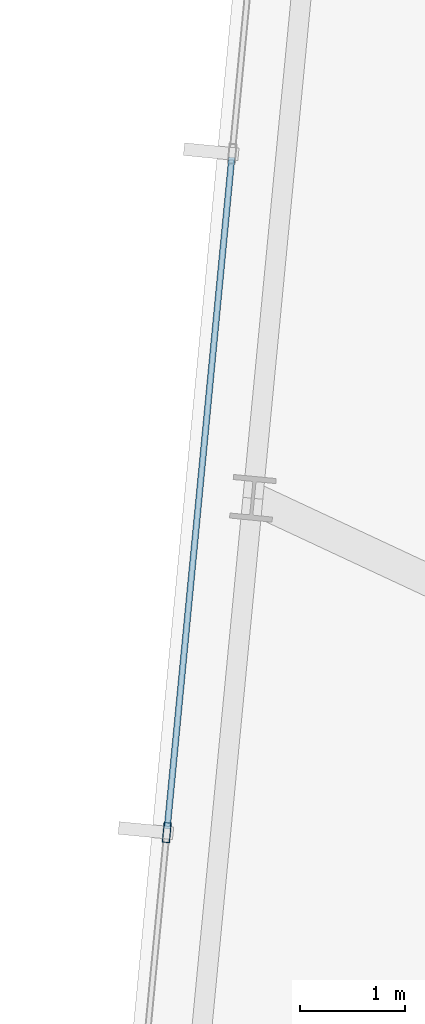
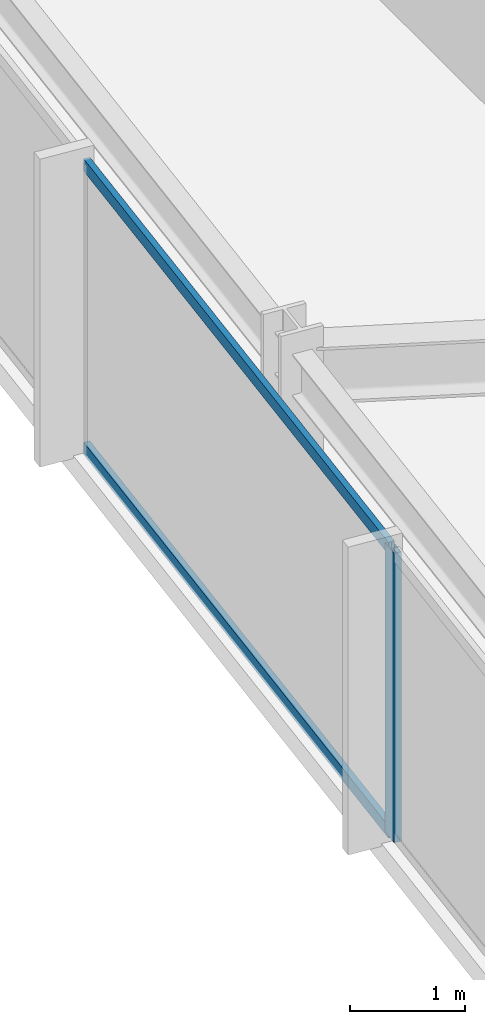
# One storey, part 8 of 37: 3 members, 1 element without a shape of its own.
"""IFC4 building model written with IfcOpenShell, lengths in metres."""

import ifcopenshell
import ifcopenshell.guid

model = None  # the IFC model being written
_history = None  # IfcOwnerHistory: only IFC2X3 demands one
_inside = {}  # id of a spatial element -> (the spatial element, [elements in it])
_under = {}  # id of a project, library or spatial element -> (it, [spatial elements below it])
_declared = {}  # id of a project -> (the project, [libraries it declares])
_typed = {}  # id of a type object -> (the type object, [elements of that type])
_made_of = {}  # id of a material, layer set ... -> (it, [elements and type objects made of it])


def new_model(schema):
    """Start an empty IFC model of exactly this schema.

    Asked for "IFC4X3", IfcOpenShell would pick the latest addendum, in which some entities
    have other attributes; the version numbers below select the first issue.
    IFC2X3 requires an IfcOwnerHistory on every rooted entity: one is made here for all.
    """
    global model, _history
    if schema == "IFC4X3":
        model = ifcopenshell.file(schema_version=(4, 3, 0, 0))
    else:
        model = ifcopenshell.file(schema=schema)
    _inside.clear()
    _under.clear()
    _declared.clear()
    _typed.clear()
    _made_of.clear()
    _history = None
    if model.schema == "IFC2X3":
        org = make("IfcOrganization", Name="unknown")
        user = make(
            "IfcPersonAndOrganization",
            ThePerson=make("IfcPerson", FamilyName="unknown"),
            TheOrganization=org,
        )
        app = make(
            "IfcApplication",
            ApplicationDeveloper=org,
            Version="unknown",
            ApplicationFullName="unknown",
            ApplicationIdentifier="unknown",
        )
        _history = make(
            "IfcOwnerHistory",
            OwningUser=user,
            OwningApplication=app,
            ChangeAction="ADDED",
            CreationDate=0,
        )
    return model


def make(cls, **values):
    """One entity of the class cls with the attributes given. An attribute that is None is left unset."""
    return model.create_entity(
        cls, **{name: value for name, value in values.items() if value is not None}
    )


def rooted(cls, **values):
    """An entity with a GlobalId (a new one), such as an element, a storey or a relation."""
    return make(cls, GlobalId=ifcopenshell.guid.new(), OwnerHistory=_history, **values)


def si_unit(unit_type, name, prefix=None):
    """IfcSIUnit, for example si_unit("LENGTHUNIT", "METRE", prefix="MILLI")."""
    return make("IfcSIUnit", UnitType=unit_type, Prefix=prefix, Name=name)


def assignment(units):
    """IfcUnitAssignment: the units of a project."""
    return None if units is None else make("IfcUnitAssignment", Units=units)


def point(xyz):
    """IfcCartesianPoint."""
    return None if xyz is None else make("IfcCartesianPoint", Coordinates=xyz)


def direction(xyz):
    """IfcDirection."""
    return None if xyz is None else make("IfcDirection", DirectionRatios=xyz)


def frame(location, z_axis=None, x_axis=None):
    """IfcAxis2Placement3D, a coordinate frame: its origin and axes. An axis left out is left unset."""
    return make(
        "IfcAxis2Placement3D",
        Location=point(location),
        Axis=direction(z_axis),
        RefDirection=direction(x_axis),
    )


def frame_2d(location, x_axis=None):
    """IfcAxis2Placement2D, a coordinate frame in the plane: its origin and x axis."""
    return make(
        "IfcAxis2Placement2D", Location=point(location), RefDirection=direction(x_axis)
    )


def origin():
    """The frame at (0, 0, 0) with its axes left unset."""
    return frame((0.0, 0.0, 0.0))


def origin_2d():
    """The frame at (0, 0) in the plane with its x axis left unset."""
    return frame_2d((0.0, 0.0))


def place(relative_to, where):
    """IfcLocalPlacement: puts the frame where relative to a parent placement (None: the world)."""
    return make(
        "IfcLocalPlacement", PlacementRelTo=relative_to, RelativePlacement=where
    )


def context(
    kind, dimensions, precision=None, world=None, true_north=None, identifier=None
):
    """IfcGeometricRepresentationContext, for example the 3D "Model" context."""
    return make(
        "IfcGeometricRepresentationContext",
        ContextIdentifier=identifier,
        ContextType=kind,
        CoordinateSpaceDimension=dimensions,
        Precision=precision,
        WorldCoordinateSystem=world,
        TrueNorth=true_north,
    )


def subcontext(parent, identifier, kind, view, scale=None):
    """IfcGeometricRepresentationSubContext, for example "Body" below "Model"."""
    return make(
        "IfcGeometricRepresentationSubContext",
        ContextIdentifier=identifier,
        ContextType=kind,
        ParentContext=parent,
        TargetScale=scale,
        TargetView=view,
    )


def project(units=None, contexts=None):
    """IfcProject with its units and contexts."""
    return rooted(
        "IfcProject",
        Name="project",
        RepresentationContexts=contexts,
        UnitsInContext=assignment(units),
    )


def spatial(cls, under=None, at=None, **own):
    """A site, building, storey or space (cls), placed at a placement, below another one or the project."""
    s = rooted(cls, ObjectPlacement=at, **own)
    if under is not None:
        _under.setdefault(under.id(), (under, []))[1].append(s)
    return s


def profile(cls, at=None, kind="AREA", **sizes):
    """A parametric profile (cls). Its sizes go by their IFC names, for example OverallWidth=200.0."""
    return make(cls, ProfileType=kind, Position=at, **sizes)


def hollow_rectangle(**sizes):
    """IfcRectangleHollowProfileDef."""
    return profile("IfcRectangleHollowProfileDef", **sizes)


def extrude(swept, where, along, depth):
    """IfcExtrudedAreaSolid: the profile swept, set in the frame where, extruded along a direction by depth."""
    return make(
        "IfcExtrudedAreaSolid",
        SweptArea=swept,
        Position=where,
        ExtrudedDirection=direction(along),
        Depth=depth,
    )


def shape(context_of_items, identifier, shape_type, items):
    """IfcShapeRepresentation: the items that make up one representation, for example the "Body"."""
    return make(
        "IfcShapeRepresentation",
        ContextOfItems=context_of_items,
        RepresentationIdentifier=identifier,
        RepresentationType=shape_type,
        Items=items,
    )


def material(Name=None, Category=None):
    """IfcMaterial."""
    return make("IfcMaterial", Name=Name, Category=Category)


def material_profile(
    of_material, cross_section, Name=None, Category=None, Priority=None
):
    """IfcMaterialProfile: a cross section and its material."""
    return make(
        "IfcMaterialProfile",
        Name=Name,
        Material=of_material,
        Profile=cross_section,
        Priority=Priority,
        Category=Category,
    )


def profile_set(profiles, Name=None, composite=None):
    """IfcMaterialProfileSet."""
    return make(
        "IfcMaterialProfileSet",
        Name=Name,
        MaterialProfiles=profiles,
        CompositeProfile=composite,
    )


def made_of(thing, what):
    """Note that an element or type object is made of a material, layer set ...; save() writes the relation."""
    if what is not None:
        _made_of.setdefault(what.id(), (what, []))[1].append(thing)
    return thing


def type_object(cls, material=None, **own):
    """A type object (cls), such as IfcWallType, which elements share."""
    return made_of(rooted(cls, **own), material)


def element(
    cls,
    number,
    at=None,
    inside=None,
    cuts=None,
    type_object=None,
    material=None,
    context=None,
    identifier="Body",
    shape_type=None,
    held_by="IfcProductDefinitionShape",
    body=None,
    shapes=None,
    **own,
):
    """One element of the class cls, such as IfcWall. Its Tag is "e" and its number.

    at: its placement. inside: the storey or other place that contains it. cuts: it is an
    opening in that element (IfcRelVoidsElement). A single representation is given by context,
    identifier, shape_type and body (its items); several are given by shapes. held_by: the class
    of the entity that holds the representations. save() writes the other relations.
    """
    e = rooted(cls, Tag="e%d" % number, ObjectPlacement=at, **own)
    if body is not None:
        shapes = [shape(context, identifier, shape_type, body)]
    if shapes is not None:
        e.Representation = make(held_by, Representations=shapes)
    if inside is not None:
        _inside.setdefault(inside.id(), (inside, []))[1].append(e)
    if cuts is not None:
        rooted(
            "IfcRelVoidsElement", RelatingBuildingElement=cuts, RelatedOpeningElement=e
        )
    if type_object is not None:
        _typed.setdefault(type_object.id(), (type_object, []))[1].append(e)
    return made_of(e, material)


def aggregate(whole, parts):
    """IfcRelAggregates: a whole, such as a stair, and the parts it consists of."""
    return rooted("IfcRelAggregates", RelatingObject=whole, RelatedObjects=parts)


def save(model, path):
    """Write the relations noted so far, then the file.

    IfcRelAggregates (storeys below a building ...), IfcRelContainedInSpatialStructure (elements
    in a storey), IfcRelDefinesByType, IfcRelAssociatesMaterial and IfcRelDeclares: one each for
    every whole, place, type object, material and project.
    """
    for whole, parts in _under.values():
        aggregate(whole, parts)
    for where, things in _inside.values():
        rooted(
            "IfcRelContainedInSpatialStructure",
            RelatedElements=things,
            RelatingStructure=where,
        )
    for kind, things in _typed.values():
        rooted("IfcRelDefinesByType", RelatedObjects=things, RelatingType=kind)
    for what, things in _made_of.values():
        rooted("IfcRelAssociatesMaterial", RelatedObjects=things, RelatingMaterial=what)
    for by, libraries in _declared.values():
        rooted("IfcRelDeclares", RelatingContext=by, RelatedDefinitions=libraries)
    model.write(path)


model = new_model("IFC4")

# Units and contexts
model_context = context("Model", 3, precision=1e-05, world=origin(), true_north=direction((0.0, 1.0)))
body_context = subcontext(model_context, "Body", "Model", "MODEL_VIEW")
ifc_project = project(units=[si_unit("LENGTHUNIT", "METRE"), si_unit("AREAUNIT", "SQUARE_METRE"), si_unit("VOLUMEUNIT", "CUBIC_METRE"), si_unit("PLANEANGLEUNIT", "RADIAN"), si_unit("MASSUNIT", "GRAM", prefix="KILO")], contexts=[model_context])

# Site, building, storey
site_placement = place(None, origin())
site = spatial("IfcSite", under=ifc_project, at=site_placement, CompositionType="ELEMENT")
building_placement = place(site_placement, origin())
building = spatial("IfcBuilding", under=site, at=building_placement, Name="Yelkora Congress Tower", CompositionType="ELEMENT")
storey_placement = place(building_placement, frame((0.0, 0.0, 162.199951171875)))
storey = spatial("IfcBuildingStorey", under=building, at=storey_placement, Name="L44", CompositionType="ELEMENT", Elevation=162.199951171875)

# Curtain wall, members
ifc_material_1 = material(Name="Anodised aluminium and insulated glass", Category="aluminium")
curtain_wall_type = type_object("IfcCurtainWallType", Name="CW-SYS-B3", PredefinedType="NOTDEFINED", material=ifc_material_1)
curtain_wall_placement = place(storey_placement, origin())
curtain_wall = element("IfcCurtainWall", 1, at=curtain_wall_placement, inside=storey, type_object=curtain_wall_type, Name="L44 Unitised Curtain Wall 5", PredefinedType="NOTDEFINED")
ifc_material_2 = material(Name="Anodised aluminium 6063-T6", Category="aluminium")
ifc_material_profile_1 = material_profile(ifc_material_2, hollow_rectangle(XDim=0.070068359375, YDim=0.18994140625, WallThickness=0.00390625, at=origin_2d()), Name="ALU 70x190x4")
ifc_profile_set_1 = profile_set([ifc_material_profile_1], Name="Anodised aluminium 6063-T6")
member_type_1 = type_object("IfcMemberType", Name="MEM-ML-B3", PredefinedType="MULLION", material=ifc_profile_set_1)
member_1_placement = place(storey_placement, frame((2.546142578125, 29.416259765625, 0.0), z_axis=(0.0, 0.0, 1.0), x_axis=(-0.995396242473, 0.095845294465, 0.0)))
member_1 = element("IfcMember", 2, at=member_1_placement, type_object=member_type_1, Name="CW-B3 mullion 3", PredefinedType="MULLION", context=body_context, shape_type="SweptSolid", body=[
    extrude(hollow_rectangle(XDim=0.070068359375, YDim=0.18994140625, WallThickness=0.00390625, at=origin_2d()), origin(), (0.0, 0.0, 1.0), 3.080078125),
])
ifc_material_profile_2 = material_profile(ifc_material_2, hollow_rectangle(XDim=0.06005859375, YDim=0.1298828125, WallThickness=0.00390625, at=origin_2d()), Name="ALU 60x130x4")
ifc_profile_set_2 = profile_set([ifc_material_profile_2], Name="Anodised aluminium 6063-T6")
member_type_2 = type_object("IfcMemberType", Name="MEM-TR-B3", PredefinedType="USERDEFINED", material=ifc_profile_set_2)
member_2_placement = place(storey_placement, frame((2.549560546875, 29.450927734375, 0.030029296875), z_axis=(0.095843682057, 0.995396397728, 0.0), x_axis=(-0.995396397728, 0.095843682057, 0.0)))
member_2 = element("IfcMember", 3, at=member_2_placement, type_object=member_type_2, Name="CW-B3 transom 3.1", ObjectType="TRANSOM", PredefinedType="USERDEFINED", context=body_context, shape_type="SweptSolid", body=[
    extrude(hollow_rectangle(XDim=0.06005859375, YDim=0.1298828125, WallThickness=0.00390625, at=origin_2d()), origin(), (0.0, 0.0, 1.0), 6.4140625),
])
member_3_placement = place(storey_placement, frame((2.549560546875, 29.450927734375, 3.050048828125), z_axis=(0.095843682057, 0.995396397728, 0.0), x_axis=(-0.995396397728, 0.095843682057, 0.0)))
member_3 = element("IfcMember", 4, at=member_3_placement, type_object=member_type_2, Name="CW-B3 transom 3.2", ObjectType="TRANSOM", PredefinedType="USERDEFINED", context=body_context, shape_type="SweptSolid", body=[
    extrude(hollow_rectangle(XDim=0.06005859375, YDim=0.1298828125, WallThickness=0.00390625, at=origin_2d()), origin(), (0.0, 0.0, 1.0), 6.4140625),
])
aggregate(curtain_wall, [member_1, member_2, member_3])

save(model, "model.ifc")
